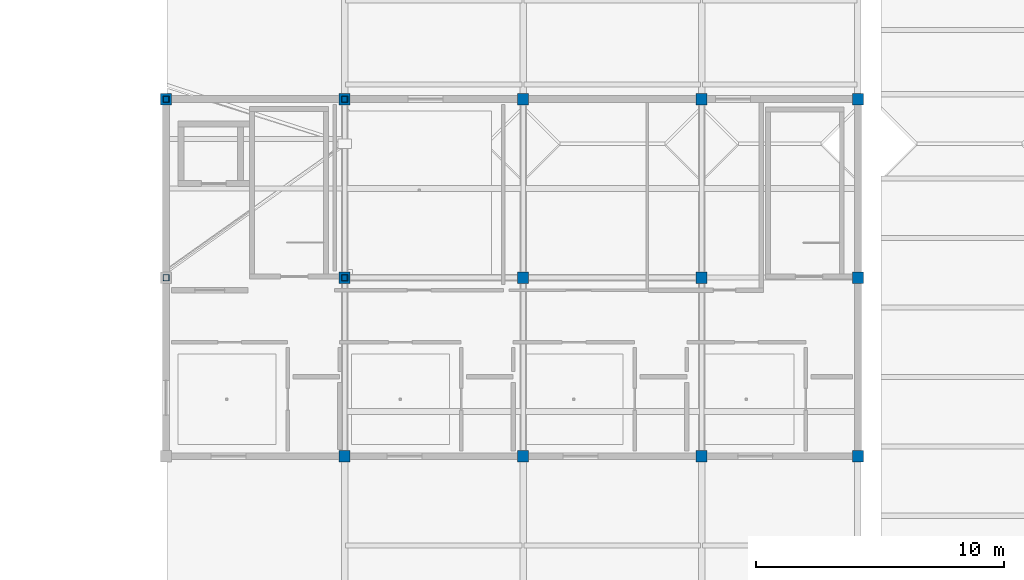
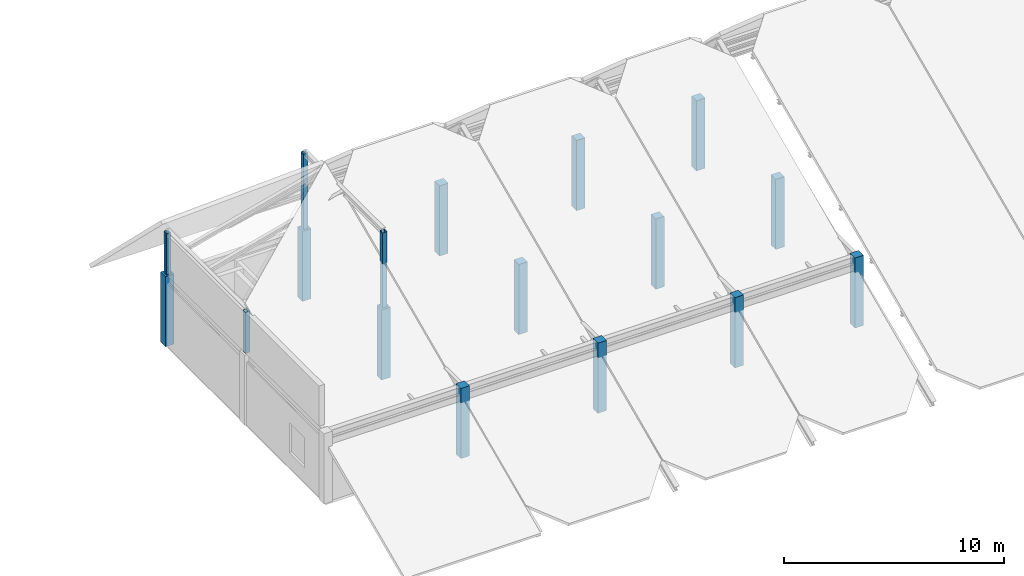
# One storey, part 2 of 54: 17 columns.
"""IFC4 building model written with IfcOpenShell, lengths in metres."""

from ifc_helpers import new_model, si_unit, direction, frame, origin, origin_2d, place, context, subcontext, project, spatial, rectangle, hollow_rectangle, extrude, material, material_profile, profile_set, type_object, element, save


model = new_model("IFC4")

# Units and contexts
model_context = context("Model", 3, precision=1e-05, world=origin(), true_north=direction((0.0, 1.0)))
body_context = subcontext(model_context, "Body", "Model", "MODEL_VIEW")
ifc_project = project(units=[si_unit("LENGTHUNIT", "METRE"), si_unit("AREAUNIT", "SQUARE_METRE"), si_unit("VOLUMEUNIT", "CUBIC_METRE"), si_unit("PLANEANGLEUNIT", "RADIAN"), si_unit("MASSUNIT", "GRAM", prefix="KILO")], contexts=[model_context])

# Site, building, storey
site_placement = place(None, origin())
site = spatial("IfcSite", under=ifc_project, at=site_placement, CompositionType="ELEMENT")
building_placement = place(site_placement, origin())
building = spatial("IfcBuilding", under=site, at=building_placement, Name="Koriwan Promenade Central Fire Station", CompositionType="ELEMENT")
storey_placement = place(building_placement, frame((0.0, 0.0, 9.60009765625)))
storey = spatial("IfcBuildingStorey", under=building, at=storey_placement, Name="L02", CompositionType="ELEMENT", Elevation=9.60009765625)

# Columns
ifc_material_1 = material(Name="Concrete C40/50", Category="concrete")
ifc_material_profile_1 = material_profile(ifc_material_1, rectangle(XDim=0.449951171875, YDim=0.449951171875, at=origin_2d()), Name="RC-COL-450x450")
ifc_profile_set_1 = profile_set([ifc_material_profile_1], Name="Concrete C40/50")
column_type_1 = type_object("IfcColumnType", Name="Column_RC-COL-450x450", PredefinedType="COLUMN", material=ifc_profile_set_1)
for number, where, z_axis, x_axis, name in (
    (1, (28.800048828125, 64.800048828125, 0.0), (0.0, 0.0, 1.0), (1.0, 0.0, 0.0), "V4 L02 column (28.8, 64.8)"),
    (2, (36.0, 50.39990234375, 0.0), (0.0, 0.0, 1.0), (1.0, 0.0, 0.0), "V4 L02 column (36.0, 50.4)"),
    (3, (36.0, 57.60009765625, 0.0), (0.0, 0.0, 1.0), (1.0, 0.0, 0.0), "V4 L02 column (36.0, 57.6)"),
    (4, (36.0, 64.800048828125, 0.0), (0.0, 0.0, 1.0), (1.0, 0.0, 0.0), "V4 L02 column (36.0, 64.8)"),
    (5, (43.199951171875, 50.39990234375, 0.0), (0.0, 0.0, 1.0), (1.0, 0.0, 0.0), "V4 L02 column (43.2, 50.4)"),
    (6, (43.199951171875, 57.60009765625, 0.0), (0.0, 0.0, 1.0), (1.0, 0.0, 0.0), "V4 L02 column (43.2, 57.6)"),
    (7, (43.199951171875, 64.800048828125, 0.0), (0.0, 0.0, 1.0), (1.0, 0.0, 0.0), "V4 L02 column (43.2, 64.8)"),
    (8, (50.39990234375, 50.39990234375, 0.0), (0.0, 0.0, 1.0), (1.0, 0.0, 0.0), "V4 L02 column (50.4, 50.4)"),
    (9, (50.39990234375, 57.60009765625, 0.0), (0.0, 0.0, 1.0), (1.0, 0.0, 0.0), "V4 L02 column (50.4, 57.6)"),
    (10, (50.39990234375, 64.800048828125, 0.0), (0.0, 0.0, 1.0), (1.0, 0.0, 0.0), "V4 L02 column (50.4, 64.8)"),
    (11, (56.699951171875, 50.39990234375, 0.0), (0.0, 0.0, 1.0), (1.0, 0.0, 0.0), "V4 L02 column (56.7, 50.4)"),
    (12, (56.699951171875, 57.60009765625, 0.0), (0.0, 0.0, 1.0), (1.0, 0.0, 0.0), "V4 L02 column (56.7, 57.6)"),
    (13, (56.699951171875, 64.800048828125, 0.0), (0.0, 0.0, 1.0), (1.0, 0.0, 0.0), "V4 L02 column (56.7, 64.8)"),
):
    element("IfcColumn", number, at=place(storey_placement, frame(where, z_axis=z_axis, x_axis=x_axis)), inside=storey, type_object=column_type_1, Name=name, PredefinedType="COLUMN", context=body_context, shape_type="SweptSolid", body=[
        extrude(rectangle(XDim=0.449951171875, YDim=0.449951171875, at=origin_2d()), origin(), (0.0, 0.0, 1.0), 3.89990234375),
    ])
ifc_material_2 = material(Name="Steel ASTM A500 Grade C", Category="steel")
ifc_material_profile_2 = material_profile(ifc_material_2, hollow_rectangle(XDim=0.25, YDim=0.25, WallThickness=0.011962890625, InnerFilletRadius=0.011962890625, OuterFilletRadius=0.02392578125, at=origin_2d()), Name="HSS250x250x12")
ifc_profile_set_2 = profile_set([ifc_material_profile_2], Name="Steel ASTM A500 Grade C")
column_type_2 = type_object("IfcColumnType", Name="SteelColumn_HSS250x250x12", PredefinedType="COLUMN", material=ifc_profile_set_2)
for number, where, z_axis, x_axis, name in (
    (14, (28.800048828125, 57.60009765625, 3.89990234375), (0.0, 0.0, 1.0), (1.0, 0.0, 0.0), "V4 chamfer ridge support post (28.8, 57.6)"),
    (15, (28.800048828125, 64.800048828125, 3.89990234375), (0.0, 0.0, 1.0), (1.0, 0.0, 0.0), "V4 chamfer ridge support post (28.8, 64.8)"),
):
    element("IfcColumn", number, at=place(storey_placement, frame(where, z_axis=z_axis, x_axis=x_axis)), inside=storey, type_object=column_type_2, Name=name, PredefinedType="COLUMN", context=body_context, shape_type="SweptSolid", body=[
        extrude(hollow_rectangle(XDim=0.25, YDim=0.25, WallThickness=0.011962890625, InnerFilletRadius=0.011962890625, OuterFilletRadius=0.02392578125, at=origin_2d()), origin(), (0.0, 0.0, 1.0), 2.289794921875),
    ])
for number, where, z_axis, x_axis, name in (
    (16, (36.0, 57.60009765625, 3.89990234375), (0.0, 0.0, 1.0), (1.0, 0.0, 0.0), "V4 chamfer ridge support post (36.0, 57.6)"),
    (17, (36.0, 64.800048828125, 3.89990234375), (0.0, 0.0, 1.0), (1.0, 0.0, 0.0), "V4 chamfer ridge support post (36.0, 64.8)"),
):
    element("IfcColumn", number, at=place(storey_placement, frame(where, z_axis=z_axis, x_axis=x_axis)), inside=storey, type_object=column_type_2, Name=name, PredefinedType="COLUMN", context=body_context, shape_type="SweptSolid", body=[
        extrude(hollow_rectangle(XDim=0.25, YDim=0.25, WallThickness=0.011962890625, InnerFilletRadius=0.011962890625, OuterFilletRadius=0.02392578125, at=origin_2d()), origin(), (0.0, 0.0, 1.0), 4.179931640625),
    ])

save(model, "model.ifc")
